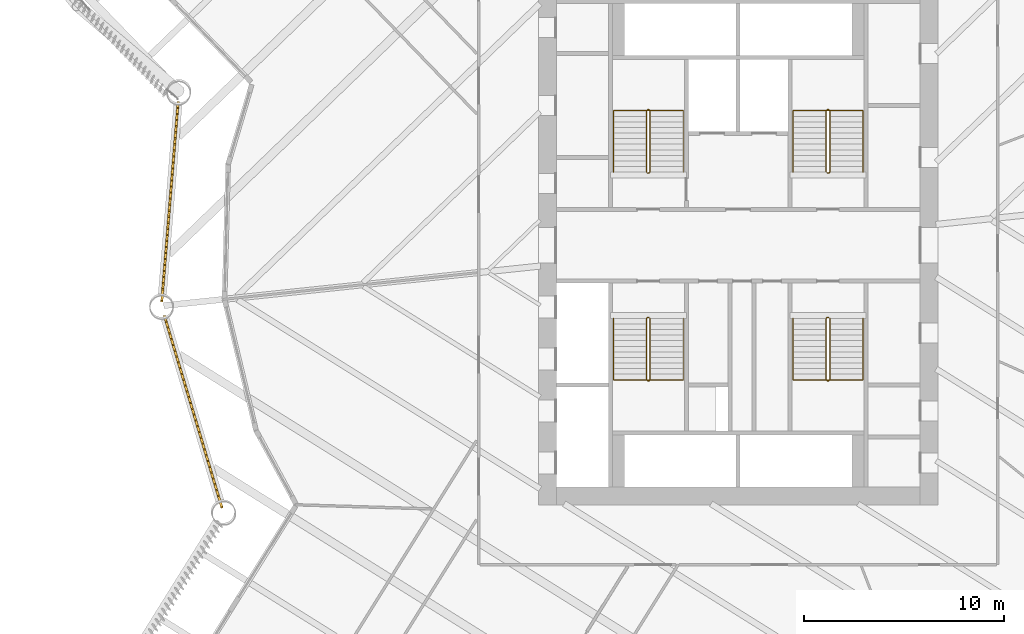
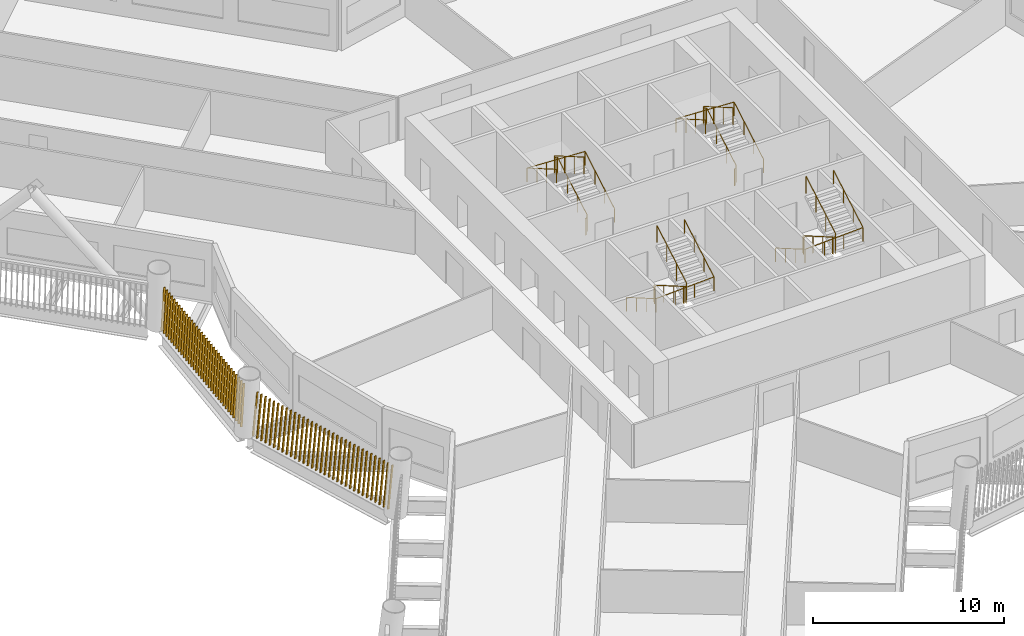
# One storey, part 19 of 22: 8 railings, 2 shading devices.
"""IFC4 building model written with IfcOpenShell, lengths in metres."""

from ifc_helpers import new_model, si_unit, direction, frame, frame_2d, origin, origin_2d, place, context, subcontext, project, spatial, rectangle, circle, composite_profile, extrude, material, type_object, element, save


model = new_model("IFC4")

# Units and contexts
model_context = context("Model", 3, precision=1e-05, world=origin(), true_north=direction((0.0, 1.0)))
body_context = subcontext(model_context, "Body", "Model", "MODEL_VIEW")
ifc_project = project(units=[si_unit("LENGTHUNIT", "METRE"), si_unit("AREAUNIT", "SQUARE_METRE"), si_unit("VOLUMEUNIT", "CUBIC_METRE"), si_unit("PLANEANGLEUNIT", "RADIAN"), si_unit("MASSUNIT", "GRAM", prefix="KILO")], contexts=[model_context])

# Site, building, storey
site_placement = place(None, origin())
site = spatial("IfcSite", under=ifc_project, at=site_placement, CompositionType="ELEMENT")
building_placement = place(site_placement, origin())
building = spatial("IfcBuilding", under=site, at=building_placement, Name="Tarsis Ring Headquarters", CompositionType="ELEMENT")
storey_placement = place(building_placement, frame((0.0, 0.0, 71.199951171875)))
storey = spatial("IfcBuildingStorey", under=building, at=storey_placement, Name="L15", CompositionType="ELEMENT", Elevation=71.199951171875)

# Railings
ifc_material_1 = material(Name="Steel S355", Category="steel")
railing_type_1 = type_object("IfcRailingType", Name="Core stair guard 1100", PredefinedType="GUARDRAIL", material=ifc_material_1)
railing_1_placement = place(storey_placement, frame((-4.5400390625, 3.610107421875, 0.0)))
element("IfcRailing", 1, at=railing_1_placement, inside=storey, type_object=railing_type_1, Name="L15 ST1 stair guard 1", PredefinedType="GUARDRAIL", context=body_context, shape_type="SweptSolid", body=[
    extrude(circle(Radius=0.02392578125, at=origin_2d()), frame((0.0, 0.0, 1.076171875), z_axis=(1.0, 0.0, 0.0), x_axis=(0.0, 1.0, 0.0)), (0.0, 0.0, 1.0), 0.080078125),
    extrude(circle(Radius=0.02392578125, at=origin_2d()), frame((0.080078125, 0.0, 1.076171875), z_axis=(0.282336740067, 0.280959487676, 0.917250092119), x_axis=(-0.705375805398, 0.708833529934, 0.0)), (0.0, 0.0, 1.0), 0.17724609375),
    extrude(circle(Radius=0.02392578125, at=origin_2d()), frame((0.130126953125, 0.0498046875, 1.23876953125), z_axis=(0.0, 0.864920483161, 0.501908913857), x_axis=(-1.0, 0.0, 0.0)), (0.0, 0.0, 1.0), 3.56103515625),
    extrude(circle(Radius=0.02392578125, at=origin_2d()), frame((0.130126953125, 3.1298828125, 3.02587890625), z_axis=(-0.707106781187, 0.707106781187, 0.0), x_axis=(-0.707106781187, -0.707106781187, 0.0)), (0.0, 0.0, 1.0), 0.07080078125),
    extrude(circle(Radius=0.02392578125, at=origin_2d()), frame((0.080078125, 3.179931640625, 3.02587890625), z_axis=(-1.0, 0.0, 0.0), x_axis=(0.0, -1.0, 0.0)), (0.0, 0.0, 1.0), 0.080078125),
    extrude(circle(Radius=0.02392578125, at=origin_2d()), frame((0.0, 3.179931640625, 3.02587890625), z_axis=(-0.282227285176, -0.282227285176, 0.916894497205), x_axis=(0.707106781187, -0.707106781187, 0.0)), (0.0, 0.0, 1.0), 0.17724609375),
    extrude(circle(Radius=0.02392578125, at=origin_2d()), frame((-0.050048828125, 3.1298828125, 3.1884765625), z_axis=(0.0, -0.864890721111, 0.501960198159), x_axis=(1.0, 0.0, 0.0)), (0.0, 0.0, 1.0), 3.561279296875),
    extrude(circle(Radius=0.02099609375, at=origin_2d()), origin(), (0.0, 0.0, 1.0), 1.052001953125),
    extrude(circle(Radius=0.02099609375, at=origin_2d()), frame((0.080078125, 0.0, 0.0)), (0.0, 0.0, 1.0), 1.052001953125),
    extrude(circle(Radius=0.02099609375, at=origin_2d()), frame((0.130126953125, 0.0498046875, 0.16259765625)), (0.0, 0.0, 1.0), 1.052001953125),
    extrude(circle(Radius=0.02099609375, at=origin_2d()), frame((0.130126953125, 1.076416015625, 0.75830078125)), (0.0, 0.0, 1.0), 1.052001953125),
    extrude(circle(Radius=0.02099609375, at=origin_2d()), frame((0.130126953125, 2.103271484375, 1.354248046875)), (0.0, 0.0, 1.0), 1.052001953125),
    extrude(circle(Radius=0.02099609375, at=origin_2d()), frame((0.130126953125, 3.1298828125, 1.949951171875)), (0.0, 0.0, 1.0), 1.052001953125),
    extrude(circle(Radius=0.02099609375, at=origin_2d()), frame((0.080078125, 3.179931640625, 1.949951171875)), (0.0, 0.0, 1.0), 1.052001953125),
    extrude(circle(Radius=0.02099609375, at=origin_2d()), frame((0.0, 3.179931640625, 1.949951171875)), (0.0, 0.0, 1.0), 1.052001953125),
    extrude(circle(Radius=0.02099609375, at=origin_2d()), frame((-0.050048828125, 3.1298828125, 2.112548828125)), (0.0, 0.0, 1.0), 1.052001953125),
    extrude(circle(Radius=0.02099609375, at=origin_2d()), frame((-0.050048828125, 2.103271484375, 2.70849609375)), (0.0, 0.0, 1.0), 1.052001953125),
    extrude(circle(Radius=0.02099609375, at=origin_2d()), frame((-0.050048828125, 1.076416015625, 3.30419921875)), (0.0, 0.0, 1.0), 1.052001953125),
    extrude(circle(Radius=0.02099609375, at=origin_2d()), frame((-0.050048828125, 0.0498046875, 3.900146484375)), (0.0, 0.0, 1.0), 1.052001953125),
])
railing_2_placement = place(storey_placement, frame((4.4599609375, 3.610107421875, 0.0)))
element("IfcRailing", 2, at=railing_2_placement, inside=storey, type_object=railing_type_1, Name="L15 ST2 stair guard 1", PredefinedType="GUARDRAIL", context=body_context, shape_type="SweptSolid", body=[
    extrude(circle(Radius=0.02392578125, at=origin_2d()), frame((0.0, 0.0, 1.076171875), z_axis=(1.0, 0.0, 0.0), x_axis=(0.0, 1.0, 0.0)), (0.0, 0.0, 1.0), 0.080078125),
    extrude(circle(Radius=0.02392578125, at=origin_2d()), frame((0.080078125, 0.0, 1.076171875), z_axis=(0.282336740067, 0.280959487676, 0.917250092119), x_axis=(-0.705375805398, 0.708833529934, 0.0)), (0.0, 0.0, 1.0), 0.17724609375),
    extrude(circle(Radius=0.02392578125, at=origin_2d()), frame((0.130126953125, 0.0498046875, 1.23876953125), z_axis=(0.0, 0.864920483161, 0.501908913857), x_axis=(-1.0, 0.0, 0.0)), (0.0, 0.0, 1.0), 3.56103515625),
    extrude(circle(Radius=0.02392578125, at=origin_2d()), frame((0.130126953125, 3.1298828125, 3.02587890625), z_axis=(-0.707106781187, 0.707106781187, 0.0), x_axis=(-0.707106781187, -0.707106781187, 0.0)), (0.0, 0.0, 1.0), 0.07080078125),
    extrude(circle(Radius=0.02392578125, at=origin_2d()), frame((0.080078125, 3.179931640625, 3.02587890625), z_axis=(-1.0, 0.0, 0.0), x_axis=(0.0, -1.0, 0.0)), (0.0, 0.0, 1.0), 0.080078125),
    extrude(circle(Radius=0.02392578125, at=origin_2d()), frame((0.0, 3.179931640625, 3.02587890625), z_axis=(-0.282227285176, -0.282227285176, 0.916894497205), x_axis=(0.707106781187, -0.707106781187, 0.0)), (0.0, 0.0, 1.0), 0.17724609375),
    extrude(circle(Radius=0.02392578125, at=origin_2d()), frame((-0.050048828125, 3.1298828125, 3.1884765625), z_axis=(0.0, -0.864890721111, 0.501960198159), x_axis=(1.0, 0.0, 0.0)), (0.0, 0.0, 1.0), 3.561279296875),
    extrude(circle(Radius=0.02099609375, at=origin_2d()), origin(), (0.0, 0.0, 1.0), 1.052001953125),
    extrude(circle(Radius=0.02099609375, at=origin_2d()), frame((0.080078125, 0.0, 0.0)), (0.0, 0.0, 1.0), 1.052001953125),
    extrude(circle(Radius=0.02099609375, at=origin_2d()), frame((0.130126953125, 0.0498046875, 0.16259765625)), (0.0, 0.0, 1.0), 1.052001953125),
    extrude(circle(Radius=0.02099609375, at=origin_2d()), frame((0.130126953125, 1.076416015625, 0.75830078125)), (0.0, 0.0, 1.0), 1.052001953125),
    extrude(circle(Radius=0.02099609375, at=origin_2d()), frame((0.130126953125, 2.103271484375, 1.354248046875)), (0.0, 0.0, 1.0), 1.052001953125),
    extrude(circle(Radius=0.02099609375, at=origin_2d()), frame((0.130126953125, 3.1298828125, 1.949951171875)), (0.0, 0.0, 1.0), 1.052001953125),
    extrude(circle(Radius=0.02099609375, at=origin_2d()), frame((0.080078125, 3.179931640625, 1.949951171875)), (0.0, 0.0, 1.0), 1.052001953125),
    extrude(circle(Radius=0.02099609375, at=origin_2d()), frame((0.0, 3.179931640625, 1.949951171875)), (0.0, 0.0, 1.0), 1.052001953125),
    extrude(circle(Radius=0.02099609375, at=origin_2d()), frame((-0.050048828125, 3.1298828125, 2.112548828125)), (0.0, 0.0, 1.0), 1.052001953125),
    extrude(circle(Radius=0.02099609375, at=origin_2d()), frame((-0.050048828125, 2.103271484375, 2.70849609375)), (0.0, 0.0, 1.0), 1.052001953125),
    extrude(circle(Radius=0.02099609375, at=origin_2d()), frame((-0.050048828125, 1.076416015625, 3.30419921875)), (0.0, 0.0, 1.0), 1.052001953125),
    extrude(circle(Radius=0.02099609375, at=origin_2d()), frame((-0.050048828125, 0.0498046875, 3.900146484375)), (0.0, 0.0, 1.0), 1.052001953125),
])
railing_3_placement = place(storey_placement, frame((-4.4599609375, -3.610107421875, 0.0)))
element("IfcRailing", 3, at=railing_3_placement, inside=storey, type_object=railing_type_1, Name="L15 ST3 stair guard 1", PredefinedType="GUARDRAIL", context=body_context, shape_type="SweptSolid", body=[
    extrude(circle(Radius=0.02392578125, at=origin_2d()), frame((0.0, 0.0, 1.076171875), z_axis=(-1.0, 0.0, 0.0), x_axis=(0.0, -1.0, 0.0)), (0.0, 0.0, 1.0), 0.080078125),
    extrude(circle(Radius=0.02392578125, at=origin_2d()), frame((-0.080078125, 0.0, 1.076171875), z_axis=(-0.282336740067, -0.280959487676, 0.917250092119), x_axis=(0.705375805398, -0.708833529934, 0.0)), (0.0, 0.0, 1.0), 0.17724609375),
    extrude(circle(Radius=0.02392578125, at=origin_2d()), frame((-0.130126953125, -0.0498046875, 1.23876953125), z_axis=(0.0, -0.864920483161, 0.501908913857), x_axis=(1.0, 0.0, 0.0)), (0.0, 0.0, 1.0), 3.56103515625),
    extrude(circle(Radius=0.02392578125, at=origin_2d()), frame((-0.130126953125, -3.1298828125, 3.02587890625), z_axis=(0.707106781187, -0.707106781187, 0.0), x_axis=(0.707106781187, 0.707106781187, 0.0)), (0.0, 0.0, 1.0), 0.07080078125),
    extrude(circle(Radius=0.02392578125, at=origin_2d()), frame((-0.080078125, -3.179931640625, 3.02587890625), z_axis=(1.0, 0.0, 0.0), x_axis=(0.0, 1.0, 0.0)), (0.0, 0.0, 1.0), 0.080078125),
    extrude(circle(Radius=0.02392578125, at=origin_2d()), frame((0.0, -3.179931640625, 3.02587890625), z_axis=(0.282227285176, 0.282227285176, 0.916894497205), x_axis=(-0.707106781187, 0.707106781187, 0.0)), (0.0, 0.0, 1.0), 0.17724609375),
    extrude(circle(Radius=0.02392578125, at=origin_2d()), frame((0.050048828125, -3.1298828125, 3.1884765625), z_axis=(0.0, 0.864890721111, 0.501960198159), x_axis=(-1.0, 0.0, 0.0)), (0.0, 0.0, 1.0), 3.561279296875),
    extrude(circle(Radius=0.02099609375, at=origin_2d()), origin(), (0.0, 0.0, 1.0), 1.052001953125),
    extrude(circle(Radius=0.02099609375, at=origin_2d()), frame((-0.080078125, 0.0, 0.0)), (0.0, 0.0, 1.0), 1.052001953125),
    extrude(circle(Radius=0.02099609375, at=origin_2d()), frame((-0.130126953125, -0.0498046875, 0.16259765625)), (0.0, 0.0, 1.0), 1.052001953125),
    extrude(circle(Radius=0.02099609375, at=origin_2d()), frame((-0.130126953125, -1.076416015625, 0.75830078125)), (0.0, 0.0, 1.0), 1.052001953125),
    extrude(circle(Radius=0.02099609375, at=origin_2d()), frame((-0.130126953125, -2.103271484375, 1.354248046875)), (0.0, 0.0, 1.0), 1.052001953125),
    extrude(circle(Radius=0.02099609375, at=origin_2d()), frame((-0.130126953125, -3.1298828125, 1.949951171875)), (0.0, 0.0, 1.0), 1.052001953125),
    extrude(circle(Radius=0.02099609375, at=origin_2d()), frame((-0.080078125, -3.179931640625, 1.949951171875)), (0.0, 0.0, 1.0), 1.052001953125),
    extrude(circle(Radius=0.02099609375, at=origin_2d()), frame((0.0, -3.179931640625, 1.949951171875)), (0.0, 0.0, 1.0), 1.052001953125),
    extrude(circle(Radius=0.02099609375, at=origin_2d()), frame((0.050048828125, -3.1298828125, 2.112548828125)), (0.0, 0.0, 1.0), 1.052001953125),
    extrude(circle(Radius=0.02099609375, at=origin_2d()), frame((0.050048828125, -2.103271484375, 2.70849609375)), (0.0, 0.0, 1.0), 1.052001953125),
    extrude(circle(Radius=0.02099609375, at=origin_2d()), frame((0.050048828125, -1.076416015625, 3.30419921875)), (0.0, 0.0, 1.0), 1.052001953125),
    extrude(circle(Radius=0.02099609375, at=origin_2d()), frame((0.050048828125, -0.0498046875, 3.900146484375)), (0.0, 0.0, 1.0), 1.052001953125),
])
railing_4_placement = place(storey_placement, frame((4.5400390625, -3.610107421875, 0.0)))
element("IfcRailing", 4, at=railing_4_placement, inside=storey, type_object=railing_type_1, Name="L15 ST4 stair guard 1", PredefinedType="GUARDRAIL", context=body_context, shape_type="SweptSolid", body=[
    extrude(circle(Radius=0.02392578125, at=origin_2d()), frame((0.0, 0.0, 1.076171875), z_axis=(-1.0, 0.0, 0.0), x_axis=(0.0, -1.0, 0.0)), (0.0, 0.0, 1.0), 0.080078125),
    extrude(circle(Radius=0.02392578125, at=origin_2d()), frame((-0.080078125, 0.0, 1.076171875), z_axis=(-0.282336740067, -0.280959487676, 0.917250092119), x_axis=(0.705375805398, -0.708833529934, 0.0)), (0.0, 0.0, 1.0), 0.17724609375),
    extrude(circle(Radius=0.02392578125, at=origin_2d()), frame((-0.130126953125, -0.0498046875, 1.23876953125), z_axis=(0.0, -0.864920483161, 0.501908913857), x_axis=(1.0, 0.0, 0.0)), (0.0, 0.0, 1.0), 3.56103515625),
    extrude(circle(Radius=0.02392578125, at=origin_2d()), frame((-0.130126953125, -3.1298828125, 3.02587890625), z_axis=(0.707106781187, -0.707106781187, 0.0), x_axis=(0.707106781187, 0.707106781187, 0.0)), (0.0, 0.0, 1.0), 0.07080078125),
    extrude(circle(Radius=0.02392578125, at=origin_2d()), frame((-0.080078125, -3.179931640625, 3.02587890625), z_axis=(1.0, 0.0, 0.0), x_axis=(0.0, 1.0, 0.0)), (0.0, 0.0, 1.0), 0.080078125),
    extrude(circle(Radius=0.02392578125, at=origin_2d()), frame((0.0, -3.179931640625, 3.02587890625), z_axis=(0.282227285176, 0.282227285176, 0.916894497205), x_axis=(-0.707106781187, 0.707106781187, 0.0)), (0.0, 0.0, 1.0), 0.17724609375),
    extrude(circle(Radius=0.02392578125, at=origin_2d()), frame((0.050048828125, -3.1298828125, 3.1884765625), z_axis=(0.0, 0.864890721111, 0.501960198159), x_axis=(-1.0, 0.0, 0.0)), (0.0, 0.0, 1.0), 3.561279296875),
    extrude(circle(Radius=0.02099609375, at=origin_2d()), origin(), (0.0, 0.0, 1.0), 1.052001953125),
    extrude(circle(Radius=0.02099609375, at=origin_2d()), frame((-0.080078125, 0.0, 0.0)), (0.0, 0.0, 1.0), 1.052001953125),
    extrude(circle(Radius=0.02099609375, at=origin_2d()), frame((-0.130126953125, -0.0498046875, 0.16259765625)), (0.0, 0.0, 1.0), 1.052001953125),
    extrude(circle(Radius=0.02099609375, at=origin_2d()), frame((-0.130126953125, -1.076416015625, 0.75830078125)), (0.0, 0.0, 1.0), 1.052001953125),
    extrude(circle(Radius=0.02099609375, at=origin_2d()), frame((-0.130126953125, -2.103271484375, 1.354248046875)), (0.0, 0.0, 1.0), 1.052001953125),
    extrude(circle(Radius=0.02099609375, at=origin_2d()), frame((-0.130126953125, -3.1298828125, 1.949951171875)), (0.0, 0.0, 1.0), 1.052001953125),
    extrude(circle(Radius=0.02099609375, at=origin_2d()), frame((-0.080078125, -3.179931640625, 1.949951171875)), (0.0, 0.0, 1.0), 1.052001953125),
    extrude(circle(Radius=0.02099609375, at=origin_2d()), frame((0.0, -3.179931640625, 1.949951171875)), (0.0, 0.0, 1.0), 1.052001953125),
    extrude(circle(Radius=0.02099609375, at=origin_2d()), frame((0.050048828125, -3.1298828125, 2.112548828125)), (0.0, 0.0, 1.0), 1.052001953125),
    extrude(circle(Radius=0.02099609375, at=origin_2d()), frame((0.050048828125, -2.103271484375, 2.70849609375)), (0.0, 0.0, 1.0), 1.052001953125),
    extrude(circle(Radius=0.02099609375, at=origin_2d()), frame((0.050048828125, -1.076416015625, 3.30419921875)), (0.0, 0.0, 1.0), 1.052001953125),
    extrude(circle(Radius=0.02099609375, at=origin_2d()), frame((0.050048828125, -0.0498046875, 3.900146484375)), (0.0, 0.0, 1.0), 1.052001953125),
])
railing_type_2 = type_object("IfcRailingType", Name="Core stair handrail 900", PredefinedType="HANDRAIL", material=ifc_material_1)
railing_5_placement = place(storey_placement, frame((-2.75, 3.659912109375, 0.16259765625)))
element("IfcRailing", 5, at=railing_5_placement, inside=storey, type_object=railing_type_2, Name="L15 ST1 stair handrail 1", PredefinedType="HANDRAIL", context=body_context, shape_type="SweptSolid", body=[
    extrude(circle(Radius=0.02392578125, at=origin_2d()), frame((0.0, 0.0, 0.8759765625), z_axis=(0.0, 0.864920483161, 0.501908913857), x_axis=(-1.0, 0.0, 0.0)), (0.0, 0.0, 1.0), 3.56103515625),
    extrude(circle(Radius=0.02392578125, at=origin_2d()), frame((0.0, 3.080078125, 2.6630859375), z_axis=(-0.998922641604, 0.0, 0.046406422943), x_axis=(0.0, -1.0, 0.0)), (0.0, 0.0, 1.0), 3.503662109375),
    extrude(circle(Radius=0.02392578125, at=origin_2d()), frame((-3.5, 3.080078125, 2.82568359375), z_axis=(0.0, -0.864890721111, 0.501960198159), x_axis=(1.0, 0.0, 0.0)), (0.0, 0.0, 1.0), 3.561279296875),
    extrude(circle(Radius=0.02099609375, at=origin_2d()), origin(), (0.0, 0.0, 1.0), 0.851806640625),
    extrude(circle(Radius=0.02099609375, at=origin_2d()), frame((0.0, 1.026611328125, 0.595703125)), (0.0, 0.0, 1.0), 0.851806640625),
    extrude(circle(Radius=0.02099609375, at=origin_2d()), frame((0.0, 2.053466796875, 1.191650390625)), (0.0, 0.0, 1.0), 0.851806640625),
    extrude(circle(Radius=0.02099609375, at=origin_2d()), frame((0.0, 3.080078125, 1.787353515625)), (0.0, 0.0, 1.0), 0.851806640625),
    extrude(circle(Radius=0.02099609375, at=origin_2d()), frame((-1.166748046875, 3.080078125, 1.841552734375)), (0.0, 0.0, 1.0), 0.851806640625),
    extrude(circle(Radius=0.02099609375, at=origin_2d()), frame((-2.333251953125, 3.080078125, 1.895751953125)), (0.0, 0.0, 1.0), 0.851806640625),
    extrude(circle(Radius=0.02099609375, at=origin_2d()), frame((-3.5, 3.080078125, 1.949951171875)), (0.0, 0.0, 1.0), 0.851806640625),
    extrude(circle(Radius=0.02099609375, at=origin_2d()), frame((-3.5, 2.053466796875, 2.5458984375)), (0.0, 0.0, 1.0), 0.851806640625),
    extrude(circle(Radius=0.02099609375, at=origin_2d()), frame((-3.5, 1.026611328125, 3.1416015625)), (0.0, 0.0, 1.0), 0.851806640625),
    extrude(circle(Radius=0.02099609375, at=origin_2d()), frame((-3.5, 0.0, 3.737548828125)), (0.0, 0.0, 1.0), 0.851806640625),
])
railing_6_placement = place(storey_placement, frame((6.25, 3.659912109375, 0.16259765625)))
element("IfcRailing", 6, at=railing_6_placement, inside=storey, type_object=railing_type_2, Name="L15 ST2 stair handrail 1", PredefinedType="HANDRAIL", context=body_context, shape_type="SweptSolid", body=[
    extrude(circle(Radius=0.02392578125, at=origin_2d()), frame((0.0, 0.0, 0.8759765625), z_axis=(0.0, 0.864920483161, 0.501908913857), x_axis=(-1.0, 0.0, 0.0)), (0.0, 0.0, 1.0), 3.56103515625),
    extrude(circle(Radius=0.02392578125, at=origin_2d()), frame((0.0, 3.080078125, 2.6630859375), z_axis=(-0.998922641604, 0.0, 0.046406422943), x_axis=(0.0, -1.0, 0.0)), (0.0, 0.0, 1.0), 3.503662109375),
    extrude(circle(Radius=0.02392578125, at=origin_2d()), frame((-3.5, 3.080078125, 2.82568359375), z_axis=(0.0, -0.864890721111, 0.501960198159), x_axis=(1.0, 0.0, 0.0)), (0.0, 0.0, 1.0), 3.561279296875),
    extrude(circle(Radius=0.02099609375, at=origin_2d()), origin(), (0.0, 0.0, 1.0), 0.851806640625),
    extrude(circle(Radius=0.02099609375, at=origin_2d()), frame((0.0, 1.026611328125, 0.595703125)), (0.0, 0.0, 1.0), 0.851806640625),
    extrude(circle(Radius=0.02099609375, at=origin_2d()), frame((0.0, 2.053466796875, 1.191650390625)), (0.0, 0.0, 1.0), 0.851806640625),
    extrude(circle(Radius=0.02099609375, at=origin_2d()), frame((0.0, 3.080078125, 1.787353515625)), (0.0, 0.0, 1.0), 0.851806640625),
    extrude(circle(Radius=0.02099609375, at=origin_2d()), frame((-1.166748046875, 3.080078125, 1.841552734375)), (0.0, 0.0, 1.0), 0.851806640625),
    extrude(circle(Radius=0.02099609375, at=origin_2d()), frame((-2.333251953125, 3.080078125, 1.895751953125)), (0.0, 0.0, 1.0), 0.851806640625),
    extrude(circle(Radius=0.02099609375, at=origin_2d()), frame((-3.5, 3.080078125, 1.949951171875)), (0.0, 0.0, 1.0), 0.851806640625),
    extrude(circle(Radius=0.02099609375, at=origin_2d()), frame((-3.5, 2.053466796875, 2.5458984375)), (0.0, 0.0, 1.0), 0.851806640625),
    extrude(circle(Radius=0.02099609375, at=origin_2d()), frame((-3.5, 1.026611328125, 3.1416015625)), (0.0, 0.0, 1.0), 0.851806640625),
    extrude(circle(Radius=0.02099609375, at=origin_2d()), frame((-3.5, 0.0, 3.737548828125)), (0.0, 0.0, 1.0), 0.851806640625),
])
railing_7_placement = place(storey_placement, frame((-6.25, -3.659912109375, 0.16259765625)))
element("IfcRailing", 7, at=railing_7_placement, inside=storey, type_object=railing_type_2, Name="L15 ST3 stair handrail 1", PredefinedType="HANDRAIL", context=body_context, shape_type="SweptSolid", body=[
    extrude(circle(Radius=0.02392578125, at=origin_2d()), frame((0.0, 0.0, 0.8759765625), z_axis=(0.0, -0.864920483161, 0.501908913857), x_axis=(1.0, 0.0, 0.0)), (0.0, 0.0, 1.0), 3.56103515625),
    extrude(circle(Radius=0.02392578125, at=origin_2d()), frame((0.0, -3.080078125, 2.6630859375), z_axis=(0.998922641604, 0.0, 0.046406422943), x_axis=(0.0, 1.0, 0.0)), (0.0, 0.0, 1.0), 3.503662109375),
    extrude(circle(Radius=0.02392578125, at=origin_2d()), frame((3.5, -3.080078125, 2.82568359375), z_axis=(0.0, 0.864890721111, 0.501960198159), x_axis=(-1.0, 0.0, 0.0)), (0.0, 0.0, 1.0), 3.561279296875),
    extrude(circle(Radius=0.02099609375, at=origin_2d()), origin(), (0.0, 0.0, 1.0), 0.851806640625),
    extrude(circle(Radius=0.02099609375, at=origin_2d()), frame((0.0, -1.026611328125, 0.595703125)), (0.0, 0.0, 1.0), 0.851806640625),
    extrude(circle(Radius=0.02099609375, at=origin_2d()), frame((0.0, -2.053466796875, 1.191650390625)), (0.0, 0.0, 1.0), 0.851806640625),
    extrude(circle(Radius=0.02099609375, at=origin_2d()), frame((0.0, -3.080078125, 1.787353515625)), (0.0, 0.0, 1.0), 0.851806640625),
    extrude(circle(Radius=0.02099609375, at=origin_2d()), frame((1.166748046875, -3.080078125, 1.841552734375)), (0.0, 0.0, 1.0), 0.851806640625),
    extrude(circle(Radius=0.02099609375, at=origin_2d()), frame((2.333251953125, -3.080078125, 1.895751953125)), (0.0, 0.0, 1.0), 0.851806640625),
    extrude(circle(Radius=0.02099609375, at=origin_2d()), frame((3.5, -3.080078125, 1.949951171875)), (0.0, 0.0, 1.0), 0.851806640625),
    extrude(circle(Radius=0.02099609375, at=origin_2d()), frame((3.5, -2.053466796875, 2.5458984375)), (0.0, 0.0, 1.0), 0.851806640625),
    extrude(circle(Radius=0.02099609375, at=origin_2d()), frame((3.5, -1.026611328125, 3.1416015625)), (0.0, 0.0, 1.0), 0.851806640625),
    extrude(circle(Radius=0.02099609375, at=origin_2d()), frame((3.5, 0.0, 3.737548828125)), (0.0, 0.0, 1.0), 0.851806640625),
])
railing_8_placement = place(storey_placement, frame((2.75, -3.659912109375, 0.16259765625)))
element("IfcRailing", 8, at=railing_8_placement, inside=storey, type_object=railing_type_2, Name="L15 ST4 stair handrail 1", PredefinedType="HANDRAIL", context=body_context, shape_type="SweptSolid", body=[
    extrude(circle(Radius=0.02392578125, at=origin_2d()), frame((0.0, 0.0, 0.8759765625), z_axis=(0.0, -0.864920483161, 0.501908913857), x_axis=(1.0, 0.0, 0.0)), (0.0, 0.0, 1.0), 3.56103515625),
    extrude(circle(Radius=0.02392578125, at=origin_2d()), frame((0.0, -3.080078125, 2.6630859375), z_axis=(0.998922641604, 0.0, 0.046406422943), x_axis=(0.0, 1.0, 0.0)), (0.0, 0.0, 1.0), 3.503662109375),
    extrude(circle(Radius=0.02392578125, at=origin_2d()), frame((3.5, -3.080078125, 2.82568359375), z_axis=(0.0, 0.864890721111, 0.501960198159), x_axis=(-1.0, 0.0, 0.0)), (0.0, 0.0, 1.0), 3.561279296875),
    extrude(circle(Radius=0.02099609375, at=origin_2d()), origin(), (0.0, 0.0, 1.0), 0.851806640625),
    extrude(circle(Radius=0.02099609375, at=origin_2d()), frame((0.0, -1.026611328125, 0.595703125)), (0.0, 0.0, 1.0), 0.851806640625),
    extrude(circle(Radius=0.02099609375, at=origin_2d()), frame((0.0, -2.053466796875, 1.191650390625)), (0.0, 0.0, 1.0), 0.851806640625),
    extrude(circle(Radius=0.02099609375, at=origin_2d()), frame((0.0, -3.080078125, 1.787353515625)), (0.0, 0.0, 1.0), 0.851806640625),
    extrude(circle(Radius=0.02099609375, at=origin_2d()), frame((1.166748046875, -3.080078125, 1.841552734375)), (0.0, 0.0, 1.0), 0.851806640625),
    extrude(circle(Radius=0.02099609375, at=origin_2d()), frame((2.333251953125, -3.080078125, 1.895751953125)), (0.0, 0.0, 1.0), 0.851806640625),
    extrude(circle(Radius=0.02099609375, at=origin_2d()), frame((3.5, -3.080078125, 1.949951171875)), (0.0, 0.0, 1.0), 0.851806640625),
    extrude(circle(Radius=0.02099609375, at=origin_2d()), frame((3.5, -2.053466796875, 2.5458984375)), (0.0, 0.0, 1.0), 0.851806640625),
    extrude(circle(Radius=0.02099609375, at=origin_2d()), frame((3.5, -1.026611328125, 3.1416015625)), (0.0, 0.0, 1.0), 0.851806640625),
    extrude(circle(Radius=0.02099609375, at=origin_2d()), frame((3.5, 0.0, 3.737548828125)), (0.0, 0.0, 1.0), 0.851806640625),
])

# Shading devices
ifc_material_2 = material(Name="Terracotta baguette", Category="masonry")
shading_device_type = type_object("IfcShadingDeviceType", Name="Terracotta baguette screen", PredefinedType="USERDEFINED", material=ifc_material_2)
shading_device_1_placement = place(storey_placement, frame((-28.745849609375, -3.515380859375, 0.0), z_axis=(0.0, 0.0, 1.0), x_axis=(0.287120549656, -0.95790131168, 0.0)))
element("IfcShadingDevice", 9, at=shading_device_1_placement, inside=storey, type_object=shading_device_type, Name="Baguette screen L15-00", ObjectType="Terracotta baguette screen", PredefinedType="USERDEFINED", context=body_context, shape_type="SweptSolid", body=[
    extrude(composite_profile([rectangle(XDim=0.06005859375, YDim=0.1201171875, at=frame_2d((0.030029296875, 0.0))), rectangle(XDim=0.06005859375, YDim=0.1201171875, at=frame_2d((0.33349609375, 0.0))), rectangle(XDim=0.06005859375, YDim=0.1201171875, at=frame_2d((0.636962890625, 0.0))), rectangle(XDim=0.06005859375, YDim=0.1201171875, at=frame_2d((0.9404296875, 0.0))), rectangle(XDim=0.06005859375, YDim=0.1201171875, at=frame_2d((1.243896484375, 0.0))), rectangle(XDim=0.06005859375, YDim=0.1201171875, at=frame_2d((1.54736328125, 0.0))), rectangle(XDim=0.06005859375, YDim=0.1201171875, at=frame_2d((1.85107421875, 0.0))), rectangle(XDim=0.06005859375, YDim=0.1201171875, at=frame_2d((2.154541015625, 0.0))), rectangle(XDim=0.06005859375, YDim=0.1201171875, at=frame_2d((2.4580078125, 0.0))), rectangle(XDim=0.06005859375, YDim=0.1201171875, at=frame_2d((2.761474609375, 0.0))), rectangle(XDim=0.06005859375, YDim=0.1201171875, at=frame_2d((3.06494140625, 0.0))), rectangle(XDim=0.06005859375, YDim=0.1201171875, at=frame_2d((3.368408203125, 0.0))), rectangle(XDim=0.06005859375, YDim=0.1201171875, at=frame_2d((3.671875, 0.0))), rectangle(XDim=0.06005859375, YDim=0.1201171875, at=frame_2d((3.975341796875, 0.0))), rectangle(XDim=0.06005859375, YDim=0.1201171875, at=frame_2d((4.27880859375, 0.0))), rectangle(XDim=0.06005859375, YDim=0.1201171875, at=frame_2d((4.582275390625, 0.0))), rectangle(XDim=0.06005859375, YDim=0.1201171875, at=frame_2d((4.8857421875, 0.0))), rectangle(XDim=0.06005859375, YDim=0.1201171875, at=frame_2d((5.189453125, 0.0))), rectangle(XDim=0.06005859375, YDim=0.1201171875, at=frame_2d((5.492919921875, 0.0))), rectangle(XDim=0.06005859375, YDim=0.1201171875, at=frame_2d((5.79638671875, 0.0))), rectangle(XDim=0.06005859375, YDim=0.1201171875, at=frame_2d((6.099853515625, 0.0))), rectangle(XDim=0.06005859375, YDim=0.1201171875, at=frame_2d((6.4033203125, 0.0))), rectangle(XDim=0.06005859375, YDim=0.1201171875, at=frame_2d((6.706787109375, 0.0))), rectangle(XDim=0.06005859375, YDim=0.1201171875, at=frame_2d((7.01025390625, 0.0))), rectangle(XDim=0.06005859375, YDim=0.1201171875, at=frame_2d((7.313720703125, 0.0))), rectangle(XDim=0.06005859375, YDim=0.1201171875, at=frame_2d((7.6171875, 0.0))), rectangle(XDim=0.06005859375, YDim=0.1201171875, at=frame_2d((7.920654296875, 0.0))), rectangle(XDim=0.06005859375, YDim=0.1201171875, at=frame_2d((8.224365234375, 0.0))), rectangle(XDim=0.06005859375, YDim=0.1201171875, at=frame_2d((8.52783203125, 0.0))), rectangle(XDim=0.06005859375, YDim=0.1201171875, at=frame_2d((8.831298828125, 0.0))), rectangle(XDim=0.06005859375, YDim=0.1201171875, at=frame_2d((9.134765625, 0.0))), rectangle(XDim=0.06005859375, YDim=0.1201171875, at=frame_2d((9.438232421875, 0.0))), rectangle(XDim=0.06005859375, YDim=0.1201171875, at=frame_2d((9.74169921875, 0.0)))]), origin(), (0.10072219122, 0.000526301312, 0.994914450193), 2.9677734375),
])
shading_device_2_placement = place(storey_placement, frame((-28.050537109375, 7.200927734375, 0.0), z_axis=(0.0, 0.0, 1.0), x_axis=(-0.081673953779, -0.996652092442, 0.0)))
element("IfcShadingDevice", 10, at=shading_device_2_placement, inside=storey, type_object=shading_device_type, Name="Baguette screen L15-21", ObjectType="Terracotta baguette screen", PredefinedType="USERDEFINED", context=body_context, shape_type="SweptSolid", body=[
    extrude(composite_profile([rectangle(XDim=0.06005859375, YDim=0.1201171875, at=frame_2d((0.030029296875, 0.0))), rectangle(XDim=0.06005859375, YDim=0.1201171875, at=frame_2d((0.33349609375, 0.0))), rectangle(XDim=0.06005859375, YDim=0.1201171875, at=frame_2d((0.636962890625, 0.0))), rectangle(XDim=0.06005859375, YDim=0.1201171875, at=frame_2d((0.9404296875, 0.0))), rectangle(XDim=0.06005859375, YDim=0.1201171875, at=frame_2d((1.243896484375, 0.0))), rectangle(XDim=0.06005859375, YDim=0.1201171875, at=frame_2d((1.54736328125, 0.0))), rectangle(XDim=0.06005859375, YDim=0.1201171875, at=frame_2d((1.85107421875, 0.0))), rectangle(XDim=0.06005859375, YDim=0.1201171875, at=frame_2d((2.154541015625, 0.0))), rectangle(XDim=0.06005859375, YDim=0.1201171875, at=frame_2d((2.4580078125, 0.0))), rectangle(XDim=0.06005859375, YDim=0.1201171875, at=frame_2d((2.761474609375, 0.0))), rectangle(XDim=0.06005859375, YDim=0.1201171875, at=frame_2d((3.06494140625, 0.0))), rectangle(XDim=0.06005859375, YDim=0.1201171875, at=frame_2d((3.368408203125, 0.0))), rectangle(XDim=0.06005859375, YDim=0.1201171875, at=frame_2d((3.671875, 0.0))), rectangle(XDim=0.06005859375, YDim=0.1201171875, at=frame_2d((3.975341796875, 0.0))), rectangle(XDim=0.06005859375, YDim=0.1201171875, at=frame_2d((4.27880859375, 0.0))), rectangle(XDim=0.06005859375, YDim=0.1201171875, at=frame_2d((4.582275390625, 0.0))), rectangle(XDim=0.06005859375, YDim=0.1201171875, at=frame_2d((4.8857421875, 0.0))), rectangle(XDim=0.06005859375, YDim=0.1201171875, at=frame_2d((5.189453125, 0.0))), rectangle(XDim=0.06005859375, YDim=0.1201171875, at=frame_2d((5.492919921875, 0.0))), rectangle(XDim=0.06005859375, YDim=0.1201171875, at=frame_2d((5.79638671875, 0.0))), rectangle(XDim=0.06005859375, YDim=0.1201171875, at=frame_2d((6.099853515625, 0.0))), rectangle(XDim=0.06005859375, YDim=0.1201171875, at=frame_2d((6.4033203125, 0.0))), rectangle(XDim=0.06005859375, YDim=0.1201171875, at=frame_2d((6.706787109375, 0.0))), rectangle(XDim=0.06005859375, YDim=0.1201171875, at=frame_2d((7.01025390625, 0.0))), rectangle(XDim=0.06005859375, YDim=0.1201171875, at=frame_2d((7.313720703125, 0.0))), rectangle(XDim=0.06005859375, YDim=0.1201171875, at=frame_2d((7.6171875, 0.0))), rectangle(XDim=0.06005859375, YDim=0.1201171875, at=frame_2d((7.920654296875, 0.0))), rectangle(XDim=0.06005859375, YDim=0.1201171875, at=frame_2d((8.224365234375, 0.0))), rectangle(XDim=0.06005859375, YDim=0.1201171875, at=frame_2d((8.52783203125, 0.0))), rectangle(XDim=0.06005859375, YDim=0.1201171875, at=frame_2d((8.831298828125, 0.0))), rectangle(XDim=0.06005859375, YDim=0.1201171875, at=frame_2d((9.134765625, 0.0))), rectangle(XDim=0.06005859375, YDim=0.1201171875, at=frame_2d((9.438232421875, 0.0))), rectangle(XDim=0.06005859375, YDim=0.1201171875, at=frame_2d((9.74169921875, 0.0)))]), origin(), (0.100721070849, 0.000526984894, 0.994914563254), 2.9677734375),
])

save(model, "model.ifc")
